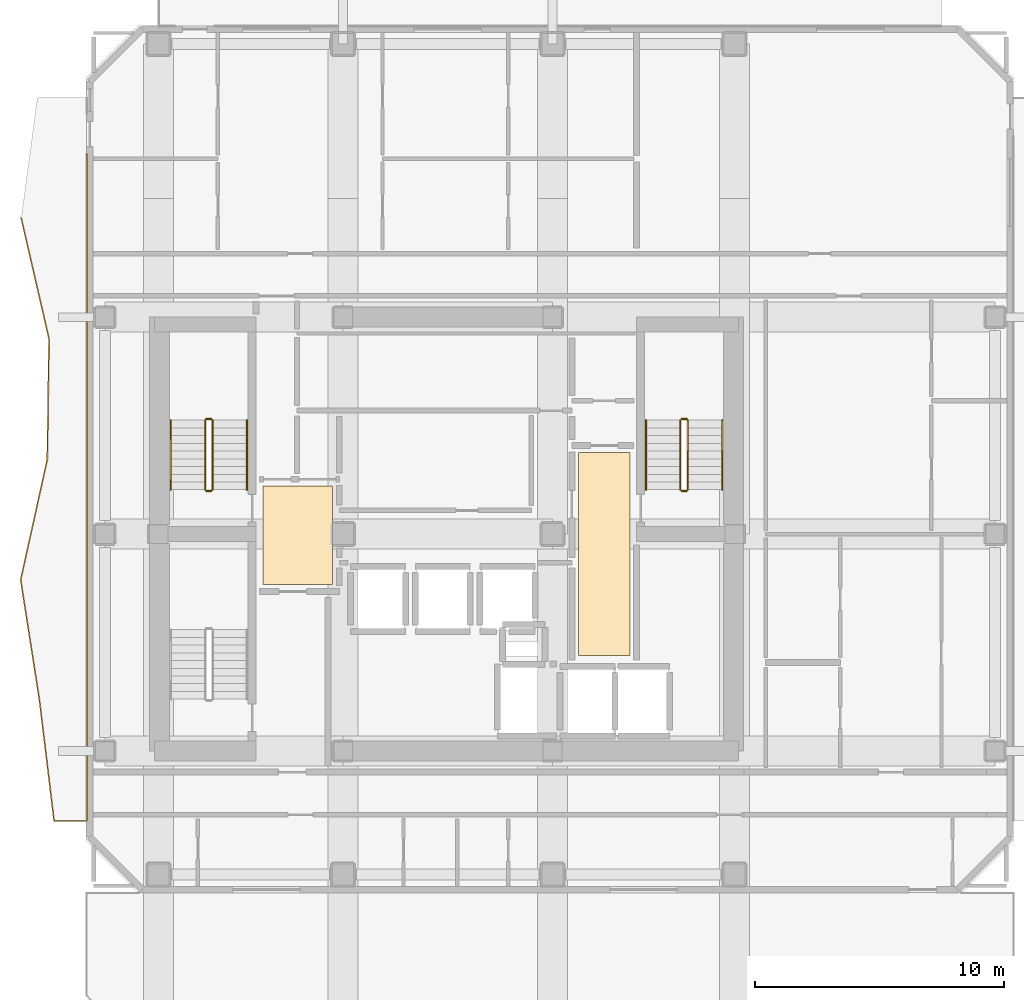
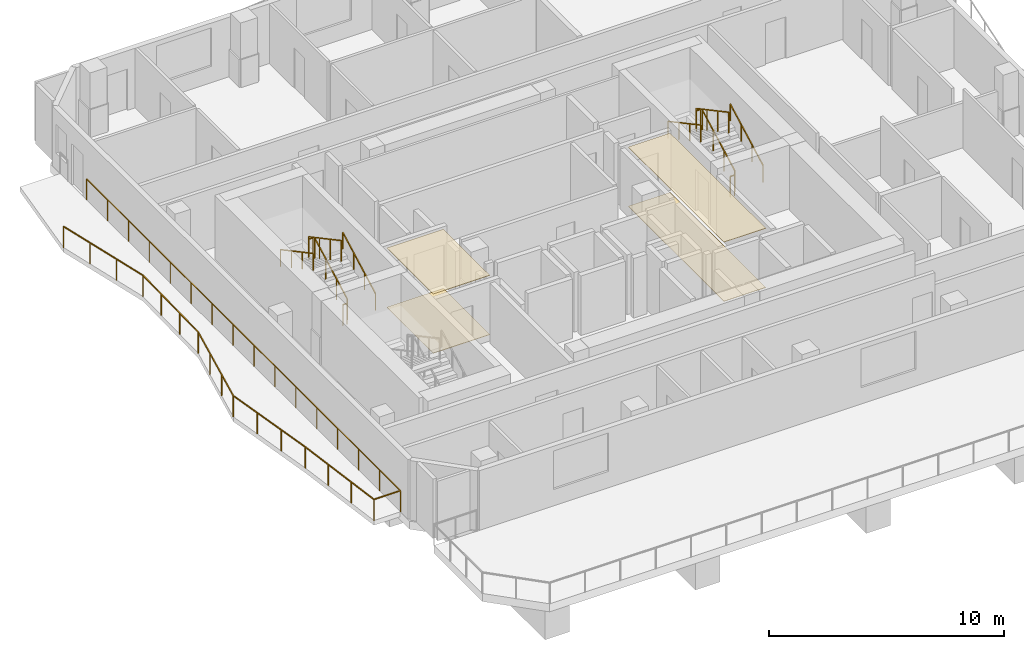
# One storey, part 8 of 9: 13 railings, 4 coverings.
"""IFC4 building model written with IfcOpenShell, lengths in metres."""

from ifc_helpers import new_model, si_unit, direction, frame, origin, origin_2d, place, context, subcontext, project, spatial, polyline, rectangle, outline, extrude, material, layer, layer_set, type_object, element, save


model = new_model("IFC4")

# Units and contexts
model_context = context("Model", 3, precision=1e-05, world=origin(), true_north=direction((0.0, 1.0)))
body_context = subcontext(model_context, "Body", "Model", "MODEL_VIEW")
ifc_project = project(units=[si_unit("LENGTHUNIT", "METRE"), si_unit("AREAUNIT", "SQUARE_METRE"), si_unit("VOLUMEUNIT", "CUBIC_METRE"), si_unit("PLANEANGLEUNIT", "RADIAN"), si_unit("MASSUNIT", "GRAM", prefix="KILO")], contexts=[model_context])

# Site, building, storey
site_placement = place(None, origin())
site = spatial("IfcSite", under=ifc_project, at=site_placement, CompositionType="ELEMENT")
building_placement = place(site_placement, origin())
building = spatial("IfcBuilding", under=site, at=building_placement, Name="Solanera Arch Residences", CompositionType="ELEMENT")
storey_placement = place(building_placement, frame((0.0, 0.0, 231.280029296875)))
storey = spatial("IfcBuildingStorey", under=building, at=storey_placement, Name="L67", CompositionType="ELEMENT", Elevation=231.280029296875)

# Railing
ifc_material_1 = material(Name="Steel S355 (ASTM A992 / A572 Grade 50)", Category="steel")
railing_type_1 = type_object("IfcRailingType", Name="Balustrade Railing BL-1100", PredefinedType="BALUSTRADE", material=ifc_material_1)
railing_1_placement = place(storey_placement, frame((7.89404296875, 43.366943359375, 0.0)))
element("IfcRailing", 1, at=railing_1_placement, inside=storey, type_object=railing_type_1, Name="L67 W Balcony Balustrade 1", PredefinedType="BALUSTRADE", context=body_context, shape_type="SweptSolid", body=[
    extrude(rectangle(XDim=0.048095703125, YDim=0.048095703125, at=origin_2d()), frame((0.0, 0.0, 1.09619140625), z_axis=(0.224381408778, -0.974501402459, 0.0), x_axis=(0.974501402459, 0.224381408778, 0.0)), (0.0, 0.0, 1.0), 4.96044921875),
    extrude(rectangle(XDim=0.048095703125, YDim=0.048095703125, at=origin_2d()), frame((1.113037109375, -4.833984375, 1.09619140625), z_axis=(-0.014092356774, -0.99990069781, 0.0), x_axis=(0.99990069781, -0.014092356774, 0.0)), (0.0, 0.0, 1.0), 4.83349609375),
    extrude(rectangle(XDim=0.048095703125, YDim=0.048095703125, at=origin_2d()), frame((1.044921875, -9.6669921875, 1.09619140625), z_axis=(-0.215938073945, -0.976407060718, 0.0), x_axis=(0.976407060718, -0.215938073945, 0.0)), (0.0, 0.0, 1.0), 4.94970703125),
    extrude(rectangle(XDim=0.048095703125, YDim=0.048095703125, at=origin_2d()), frame((-0.02392578125, -14.5, 1.09619140625), z_axis=(0.154291635386, -0.988025349498, 0.0), x_axis=(0.988025349498, 0.154291635386, 0.0)), (0.0, 0.0, 1.0), 4.892578125),
    extrude(rectangle(XDim=0.048095703125, YDim=0.048095703125, at=origin_2d()), frame((0.73095703125, -19.333984375, 1.09619140625), z_axis=(0.119959927912, -0.99277873451, 0.0), x_axis=(0.99277873451, 0.119959927912, 0.0)), (0.0, 0.0, 1.0), 4.8681640625),
    extrude(rectangle(XDim=0.048095703125, YDim=0.048095703125, at=origin_2d()), frame((1.31494140625, -24.1669921875, 1.09619140625), z_axis=(1.0, 0.0, 0.0), x_axis=(0.0, 1.0, 0.0)), (0.0, 0.0, 1.0), 1.31103515625),
    extrude(rectangle(XDim=0.048095703125, YDim=0.048095703125, at=origin_2d()), frame((2.6259765625, -24.1669921875, 1.09619140625), z_axis=(0.0, 1.0, 0.0), x_axis=(-1.0, 0.0, 0.0)), (0.0, 0.0, 1.0), 26.739990234375),
    extrude(rectangle(XDim=0.0419921875, YDim=0.0419921875, at=origin_2d()), origin(), (0.0, 0.0, 1.0), 1.072021484375),
    extrude(rectangle(XDim=0.0419921875, YDim=0.0419921875, at=origin_2d()), frame((0.37109375, -1.611328125, 0.0)), (0.0, 0.0, 1.0), 1.072021484375),
    extrude(rectangle(XDim=0.0419921875, YDim=0.0419921875, at=origin_2d()), frame((0.741943359375, -3.22265625, 0.0)), (0.0, 0.0, 1.0), 1.072021484375),
    extrude(rectangle(XDim=0.0419921875, YDim=0.0419921875, at=origin_2d()), frame((1.113037109375, -4.833984375, 0.0)), (0.0, 0.0, 1.0), 1.072021484375),
    extrude(rectangle(XDim=0.0419921875, YDim=0.0419921875, at=origin_2d()), frame((1.09033203125, -6.445068359375, 0.0)), (0.0, 0.0, 1.0), 1.072021484375),
    extrude(rectangle(XDim=0.0419921875, YDim=0.0419921875, at=origin_2d()), frame((1.067626953125, -8.055908203125, 0.0)), (0.0, 0.0, 1.0), 1.072021484375),
    extrude(rectangle(XDim=0.0419921875, YDim=0.0419921875, at=origin_2d()), frame((1.044921875, -9.6669921875, 0.0)), (0.0, 0.0, 1.0), 1.072021484375),
    extrude(rectangle(XDim=0.0419921875, YDim=0.0419921875, at=origin_2d()), frame((0.688720703125, -11.278076171875, 0.0)), (0.0, 0.0, 1.0), 1.072021484375),
    extrude(rectangle(XDim=0.0419921875, YDim=0.0419921875, at=origin_2d()), frame((0.332275390625, -12.888916015625, 0.0)), (0.0, 0.0, 1.0), 1.072021484375),
    extrude(rectangle(XDim=0.0419921875, YDim=0.0419921875, at=origin_2d()), frame((-0.02392578125, -14.5, 0.0)), (0.0, 0.0, 1.0), 1.072021484375),
    extrude(rectangle(XDim=0.0419921875, YDim=0.0419921875, at=origin_2d()), frame((0.227783203125, -16.111328125, 0.0)), (0.0, 0.0, 1.0), 1.072021484375),
    extrude(rectangle(XDim=0.0419921875, YDim=0.0419921875, at=origin_2d()), frame((0.479248046875, -17.72265625, 0.0)), (0.0, 0.0, 1.0), 1.072021484375),
    extrude(rectangle(XDim=0.0419921875, YDim=0.0419921875, at=origin_2d()), frame((0.73095703125, -19.333984375, 0.0)), (0.0, 0.0, 1.0), 1.072021484375),
    extrude(rectangle(XDim=0.0419921875, YDim=0.0419921875, at=origin_2d()), frame((0.925537109375, -20.945068359375, 0.0)), (0.0, 0.0, 1.0), 1.072021484375),
    extrude(rectangle(XDim=0.0419921875, YDim=0.0419921875, at=origin_2d()), frame((1.120361328125, -22.555908203125, 0.0)), (0.0, 0.0, 1.0), 1.072021484375),
    extrude(rectangle(XDim=0.0419921875, YDim=0.0419921875, at=origin_2d()), frame((1.31494140625, -24.1669921875, 0.0)), (0.0, 0.0, 1.0), 1.072021484375),
    extrude(rectangle(XDim=0.0419921875, YDim=0.0419921875, at=origin_2d()), frame((2.6259765625, -24.1669921875, 0.0)), (0.0, 0.0, 1.0), 1.072021484375),
    extrude(rectangle(XDim=0.0419921875, YDim=0.0419921875, at=origin_2d()), frame((2.6259765625, -22.38427734375, 0.0)), (0.0, 0.0, 1.0), 1.072021484375),
    extrude(rectangle(XDim=0.0419921875, YDim=0.0419921875, at=origin_2d()), frame((2.6259765625, -20.6015625, 0.0)), (0.0, 0.0, 1.0), 1.072021484375),
    extrude(rectangle(XDim=0.0419921875, YDim=0.0419921875, at=origin_2d()), frame((2.6259765625, -18.819091796875, 0.0)), (0.0, 0.0, 1.0), 1.072021484375),
    extrude(rectangle(XDim=0.0419921875, YDim=0.0419921875, at=origin_2d()), frame((2.6259765625, -17.036376953125, 0.0)), (0.0, 0.0, 1.0), 1.072021484375),
    extrude(rectangle(XDim=0.0419921875, YDim=0.0419921875, at=origin_2d()), frame((2.6259765625, -15.253662109375, 0.0)), (0.0, 0.0, 1.0), 1.072021484375),
    extrude(rectangle(XDim=0.0419921875, YDim=0.0419921875, at=origin_2d()), frame((2.6259765625, -13.470947265625, 0.0)), (0.0, 0.0, 1.0), 1.072021484375),
    extrude(rectangle(XDim=0.0419921875, YDim=0.0419921875, at=origin_2d()), frame((2.6259765625, -11.688232421875, 0.0)), (0.0, 0.0, 1.0), 1.072021484375),
    extrude(rectangle(XDim=0.0419921875, YDim=0.0419921875, at=origin_2d()), frame((2.6259765625, -9.90576171875, 0.0)), (0.0, 0.0, 1.0), 1.072021484375),
    extrude(rectangle(XDim=0.0419921875, YDim=0.0419921875, at=origin_2d()), frame((2.6259765625, -8.123046875, 0.0)), (0.0, 0.0, 1.0), 1.072021484375),
    extrude(rectangle(XDim=0.0419921875, YDim=0.0419921875, at=origin_2d()), frame((2.6259765625, -6.34033203125, 0.0)), (0.0, 0.0, 1.0), 1.072021484375),
    extrude(rectangle(XDim=0.0419921875, YDim=0.0419921875, at=origin_2d()), frame((2.6259765625, -4.5576171875, 0.0)), (0.0, 0.0, 1.0), 1.072021484375),
    extrude(rectangle(XDim=0.0419921875, YDim=0.0419921875, at=origin_2d()), frame((2.6259765625, -2.77490234375, 0.0)), (0.0, 0.0, 1.0), 1.072021484375),
    extrude(rectangle(XDim=0.0419921875, YDim=0.0419921875, at=origin_2d()), frame((2.6259765625, -0.992431640625, 0.0)), (0.0, 0.0, 1.0), 1.072021484375),
    extrude(rectangle(XDim=0.0419921875, YDim=0.0419921875, at=origin_2d()), frame((2.6259765625, 0.790283203125, 0.0)), (0.0, 0.0, 1.0), 1.072021484375),
    extrude(rectangle(XDim=0.0419921875, YDim=0.0419921875, at=origin_2d()), frame((2.6259765625, 2.572998046875, 0.0)), (0.0, 0.0, 1.0), 1.072021484375),
])

# Coverings
ifc_material_2 = material(Name="Porcelain Acoustic Floor Tile", Category="ceramic")
ifc_layer_1 = layer(ifc_material_2, 0.02001953125)
ifc_layer_set_1 = layer_set([ifc_layer_1], Name="Porcelain Acoustic Floor Tile")
covering_type_1 = type_object("IfcCoveringType", Name="Porcelain Acoustic Floor Finish FLR-20", PredefinedType="FLOORING", material=ifc_layer_set_1)
covering_1_placement = place(storey_placement, origin())
element("IfcCovering", 2, at=covering_1_placement, inside=storey, type_object=covering_type_1, Name="L67-FFL-W Porcelain Floor Finish", PredefinedType="FLOORING", context=body_context, shape_type="SweptSolid", body=[
    extrude(outline(polyline([(20.375, 28.675048828125), (17.594970703125, 28.675048828125), (17.594970703125, 32.625), (20.375, 32.625), (20.375, 28.675048828125)])), origin(), (0.0, 0.0, 1.0), 0.02001953125),
])
covering_2_placement = place(storey_placement, origin())
element("IfcCovering", 3, at=covering_2_placement, inside=storey, type_object=covering_type_1, Name="L67-FFL-E Porcelain Floor Finish", PredefinedType="FLOORING", context=body_context, shape_type="SweptSolid", body=[
    extrude(outline(polyline([(32.304931640625, 25.824951171875), (30.25, 25.824951171875), (30.25, 33.97509765625), (32.304931640625, 33.97509765625), (32.304931640625, 25.824951171875)])), origin(), (0.0, 0.0, 1.0), 0.02001953125),
])

# Railings
ifc_material_3 = material(Name="Steel S355 (ASTM A992 / A572 Grade 50)", Category="steel")
railing_type_2 = type_object("IfcRailingType", Name="Stair Guardrail GR-1100", PredefinedType="GUARDRAIL", material=ifc_material_3)
railing_2_placement = place(storey_placement, frame((15.570068359375, 32.47998046875, 0.15087890625)))
element("IfcRailing", 4, at=railing_2_placement, inside=storey, type_object=railing_type_2, Name="L67 ST-T1 stair guard 1", PredefinedType="GUARDRAIL", context=body_context, shape_type="SweptSolid", body=[
    extrude(rectangle(XDim=0.048095703125, YDim=0.048095703125, at=origin_2d()), frame((0.0, 0.0, 1.076171875), z_axis=(0.0, 0.881548766853, 0.472092969298), x_axis=(-1.0, 0.0, 0.0)), (0.0, 0.0, 1.0), 3.1650390625),
    extrude(rectangle(XDim=0.0419921875, YDim=0.0419921875, at=origin_2d()), origin(), (0.0, 0.0, 1.0), 1.052001953125),
    extrude(rectangle(XDim=0.0419921875, YDim=0.0419921875, at=origin_2d()), frame((0.0, 0.929931640625, 0.498046875)), (0.0, 0.0, 1.0), 1.052001953125),
    extrude(rectangle(XDim=0.0419921875, YDim=0.0419921875, at=origin_2d()), frame((0.0, 1.860107421875, 0.99609375)), (0.0, 0.0, 1.0), 1.052001953125),
    extrude(rectangle(XDim=0.0419921875, YDim=0.0419921875, at=origin_2d()), frame((0.0, 2.7900390625, 1.494140625)), (0.0, 0.0, 1.0), 1.052001953125),
])
railing_3_placement = place(storey_placement, frame((15.52001953125, 35.320068359375, 1.64501953125)))
element("IfcRailing", 5, at=railing_3_placement, inside=storey, type_object=railing_type_2, Name="L67 ST-T1 stair guard 2", PredefinedType="GUARDRAIL", context=body_context, shape_type="SweptSolid", body=[
    extrude(rectangle(XDim=0.048095703125, YDim=0.048095703125, at=origin_2d()), frame((0.0, 0.0, 1.076171875), z_axis=(-1.0, 0.0, 0.0), x_axis=(0.0, -1.0, 0.0)), (0.0, 0.0, 1.0), 0.199951171875),
    extrude(rectangle(XDim=0.0419921875, YDim=0.0419921875, at=origin_2d()), origin(), (0.0, 0.0, 1.0), 1.052001953125),
    extrude(rectangle(XDim=0.0419921875, YDim=0.0419921875, at=origin_2d()), frame((-0.199951171875, 0.0, 0.0)), (0.0, 0.0, 1.0), 1.052001953125),
])
railing_4_placement = place(storey_placement, frame((15.27001953125, 35.27001953125, 1.81103515625)))
element("IfcRailing", 6, at=railing_4_placement, inside=storey, type_object=railing_type_2, Name="L67 ST-T1 stair guard 3", PredefinedType="GUARDRAIL", context=body_context, shape_type="SweptSolid", body=[
    extrude(rectangle(XDim=0.048095703125, YDim=0.048095703125, at=origin_2d()), frame((0.0, 0.0, 1.076171875), z_axis=(0.0, -0.881580869306, 0.472033018838), x_axis=(1.0, 0.0, 0.0)), (0.0, 0.0, 1.0), 3.164794921875),
    extrude(rectangle(XDim=0.0419921875, YDim=0.0419921875, at=origin_2d()), origin(), (0.0, 0.0, 1.0), 1.052001953125),
    extrude(rectangle(XDim=0.0419921875, YDim=0.0419921875, at=origin_2d()), frame((0.0, -0.929931640625, 0.498046875)), (0.0, 0.0, 1.0), 1.052001953125),
    extrude(rectangle(XDim=0.0419921875, YDim=0.0419921875, at=origin_2d()), frame((0.0, -1.860107421875, 0.995849609375)), (0.0, 0.0, 1.0), 1.052001953125),
    extrude(rectangle(XDim=0.0419921875, YDim=0.0419921875, at=origin_2d()), frame((0.0, -2.7900390625, 1.493896484375)), (0.0, 0.0, 1.0), 1.052001953125),
])
railing_5_placement = place(storey_placement, frame((15.52001953125, 32.429931640625, -0.01513671875)))
element("IfcRailing", 7, at=railing_5_placement, inside=storey, type_object=railing_type_2, Name="L67 ST-T1 stair guard 4", PredefinedType="GUARDRAIL", context=body_context, shape_type="SweptSolid", body=[
    extrude(rectangle(XDim=0.048095703125, YDim=0.048095703125, at=origin_2d()), frame((0.0, 0.0, 1.076171875), z_axis=(-1.0, 0.0, 0.0), x_axis=(0.0, -1.0, 0.0)), (0.0, 0.0, 1.0), 0.199951171875),
    extrude(rectangle(XDim=0.0419921875, YDim=0.0419921875, at=origin_2d()), origin(), (0.0, 0.0, 1.0), 1.052001953125),
    extrude(rectangle(XDim=0.0419921875, YDim=0.0419921875, at=origin_2d()), frame((-0.199951171875, 0.0, 0.0)), (0.0, 0.0, 1.0), 1.052001953125),
])
railing_6_placement = place(storey_placement, frame((34.6298828125, 32.47998046875, 0.15087890625)))
element("IfcRailing", 8, at=railing_6_placement, inside=storey, type_object=railing_type_2, Name="L67 ST-T2 stair guard 1", PredefinedType="GUARDRAIL", context=body_context, shape_type="SweptSolid", body=[
    extrude(rectangle(XDim=0.048095703125, YDim=0.048095703125, at=origin_2d()), frame((0.0, 0.0, 1.076171875), z_axis=(0.0, 0.881548766853, 0.472092969298), x_axis=(-1.0, 0.0, 0.0)), (0.0, 0.0, 1.0), 3.1650390625),
    extrude(rectangle(XDim=0.0419921875, YDim=0.0419921875, at=origin_2d()), origin(), (0.0, 0.0, 1.0), 1.052001953125),
    extrude(rectangle(XDim=0.0419921875, YDim=0.0419921875, at=origin_2d()), frame((0.0, 0.929931640625, 0.498046875)), (0.0, 0.0, 1.0), 1.052001953125),
    extrude(rectangle(XDim=0.0419921875, YDim=0.0419921875, at=origin_2d()), frame((0.0, 1.860107421875, 0.99609375)), (0.0, 0.0, 1.0), 1.052001953125),
    extrude(rectangle(XDim=0.0419921875, YDim=0.0419921875, at=origin_2d()), frame((0.0, 2.7900390625, 1.494140625)), (0.0, 0.0, 1.0), 1.052001953125),
])
railing_7_placement = place(storey_placement, frame((34.580078125, 35.320068359375, 1.64501953125)))
element("IfcRailing", 9, at=railing_7_placement, inside=storey, type_object=railing_type_2, Name="L67 ST-T2 stair guard 2", PredefinedType="GUARDRAIL", context=body_context, shape_type="SweptSolid", body=[
    extrude(rectangle(XDim=0.048095703125, YDim=0.048095703125, at=origin_2d()), frame((0.0, 0.0, 1.076171875), z_axis=(-1.0, 0.0, 0.0), x_axis=(0.0, -1.0, 0.0)), (0.0, 0.0, 1.0), 0.2001953125),
    extrude(rectangle(XDim=0.0419921875, YDim=0.0419921875, at=origin_2d()), origin(), (0.0, 0.0, 1.0), 1.052001953125),
    extrude(rectangle(XDim=0.0419921875, YDim=0.0419921875, at=origin_2d()), frame((-0.2001953125, 0.0, 0.0)), (0.0, 0.0, 1.0), 1.052001953125),
])
railing_8_placement = place(storey_placement, frame((34.330078125, 35.27001953125, 1.81103515625)))
element("IfcRailing", 10, at=railing_8_placement, inside=storey, type_object=railing_type_2, Name="L67 ST-T2 stair guard 3", PredefinedType="GUARDRAIL", context=body_context, shape_type="SweptSolid", body=[
    extrude(rectangle(XDim=0.048095703125, YDim=0.048095703125, at=origin_2d()), frame((0.0, 0.0, 1.076171875), z_axis=(0.0, -0.881580869306, 0.472033018838), x_axis=(1.0, 0.0, 0.0)), (0.0, 0.0, 1.0), 3.164794921875),
    extrude(rectangle(XDim=0.0419921875, YDim=0.0419921875, at=origin_2d()), origin(), (0.0, 0.0, 1.0), 1.052001953125),
    extrude(rectangle(XDim=0.0419921875, YDim=0.0419921875, at=origin_2d()), frame((0.0, -0.929931640625, 0.498046875)), (0.0, 0.0, 1.0), 1.052001953125),
    extrude(rectangle(XDim=0.0419921875, YDim=0.0419921875, at=origin_2d()), frame((0.0, -1.860107421875, 0.995849609375)), (0.0, 0.0, 1.0), 1.052001953125),
    extrude(rectangle(XDim=0.0419921875, YDim=0.0419921875, at=origin_2d()), frame((0.0, -2.7900390625, 1.493896484375)), (0.0, 0.0, 1.0), 1.052001953125),
])
railing_9_placement = place(storey_placement, frame((34.580078125, 32.429931640625, -0.01513671875)))
element("IfcRailing", 11, at=railing_9_placement, inside=storey, type_object=railing_type_2, Name="L67 ST-T2 stair guard 4", PredefinedType="GUARDRAIL", context=body_context, shape_type="SweptSolid", body=[
    extrude(rectangle(XDim=0.048095703125, YDim=0.048095703125, at=origin_2d()), frame((0.0, 0.0, 1.076171875), z_axis=(-1.0, 0.0, 0.0), x_axis=(0.0, -1.0, 0.0)), (0.0, 0.0, 1.0), 0.2001953125),
    extrude(rectangle(XDim=0.0419921875, YDim=0.0419921875, at=origin_2d()), origin(), (0.0, 0.0, 1.0), 1.052001953125),
    extrude(rectangle(XDim=0.0419921875, YDim=0.0419921875, at=origin_2d()), frame((-0.2001953125, 0.0, 0.0)), (0.0, 0.0, 1.0), 1.052001953125),
])
ifc_material_4 = material(Name="Steel S355 (ASTM A992 / A572 Grade 50)", Category="steel")
railing_type_3 = type_object("IfcRailingType", Name="Stair Wall Handrail HR-920", PredefinedType="HANDRAIL", material=ifc_material_4)
railing_10_placement = place(storey_placement, frame((16.949951171875, 32.47998046875, 0.166015625)))
element("IfcRailing", 12, at=railing_10_placement, inside=storey, type_object=railing_type_3, Name="L67 ST-T1 stair handrail 1", PredefinedType="HANDRAIL", context=body_context, shape_type="SweptSolid", body=[
    extrude(rectangle(XDim=0.048095703125, YDim=0.048095703125, at=origin_2d()), frame((0.0, 0.0, 0.8759765625), z_axis=(0.0, 0.881580869306, 0.472033018838), x_axis=(-1.0, 0.0, 0.0)), (0.0, 0.0, 1.0), 3.164794921875),
    extrude(rectangle(XDim=0.0419921875, YDim=0.0419921875, at=origin_2d()), origin(), (0.0, 0.0, 1.0), 0.851806640625),
    extrude(rectangle(XDim=0.0419921875, YDim=0.0419921875, at=origin_2d()), frame((0.0, 0.929931640625, 0.498046875)), (0.0, 0.0, 1.0), 0.851806640625),
    extrude(rectangle(XDim=0.0419921875, YDim=0.0419921875, at=origin_2d()), frame((0.0, 1.860107421875, 0.995849609375)), (0.0, 0.0, 1.0), 0.851806640625),
    extrude(rectangle(XDim=0.0419921875, YDim=0.0419921875, at=origin_2d()), frame((0.0, 2.7900390625, 1.493896484375)), (0.0, 0.0, 1.0), 0.851806640625),
])
railing_11_placement = place(storey_placement, frame((13.889892578125, 35.27001953125, 1.825927734375)))
element("IfcRailing", 13, at=railing_11_placement, inside=storey, type_object=railing_type_3, Name="L67 ST-T1 stair handrail 2", PredefinedType="HANDRAIL", context=body_context, shape_type="SweptSolid", body=[
    extrude(rectangle(XDim=0.048095703125, YDim=0.048095703125, at=origin_2d()), frame((0.0, 0.0, 0.8759765625), z_axis=(0.0, -0.881548766853, 0.472092969298), x_axis=(1.0, 0.0, 0.0)), (0.0, 0.0, 1.0), 3.1650390625),
    extrude(rectangle(XDim=0.0419921875, YDim=0.0419921875, at=origin_2d()), origin(), (0.0, 0.0, 1.0), 0.851806640625),
    extrude(rectangle(XDim=0.0419921875, YDim=0.0419921875, at=origin_2d()), frame((0.0, -0.929931640625, 0.498046875)), (0.0, 0.0, 1.0), 0.851806640625),
    extrude(rectangle(XDim=0.0419921875, YDim=0.0419921875, at=origin_2d()), frame((0.0, -1.860107421875, 0.99609375)), (0.0, 0.0, 1.0), 0.851806640625),
    extrude(rectangle(XDim=0.0419921875, YDim=0.0419921875, at=origin_2d()), frame((0.0, -2.7900390625, 1.494140625)), (0.0, 0.0, 1.0), 0.851806640625),
])
railing_12_placement = place(storey_placement, frame((36.010009765625, 32.47998046875, 0.166015625)))
element("IfcRailing", 14, at=railing_12_placement, inside=storey, type_object=railing_type_3, Name="L67 ST-T2 stair handrail 1", PredefinedType="HANDRAIL", context=body_context, shape_type="SweptSolid", body=[
    extrude(rectangle(XDim=0.048095703125, YDim=0.048095703125, at=origin_2d()), frame((0.0, 0.0, 0.8759765625), z_axis=(0.0, 0.881580869306, 0.472033018838), x_axis=(-1.0, 0.0, 0.0)), (0.0, 0.0, 1.0), 3.164794921875),
    extrude(rectangle(XDim=0.0419921875, YDim=0.0419921875, at=origin_2d()), origin(), (0.0, 0.0, 1.0), 0.851806640625),
    extrude(rectangle(XDim=0.0419921875, YDim=0.0419921875, at=origin_2d()), frame((0.0, 0.929931640625, 0.498046875)), (0.0, 0.0, 1.0), 0.851806640625),
    extrude(rectangle(XDim=0.0419921875, YDim=0.0419921875, at=origin_2d()), frame((0.0, 1.860107421875, 0.995849609375)), (0.0, 0.0, 1.0), 0.851806640625),
    extrude(rectangle(XDim=0.0419921875, YDim=0.0419921875, at=origin_2d()), frame((0.0, 2.7900390625, 1.493896484375)), (0.0, 0.0, 1.0), 0.851806640625),
])
railing_13_placement = place(storey_placement, frame((32.949951171875, 35.27001953125, 1.825927734375)))
element("IfcRailing", 15, at=railing_13_placement, inside=storey, type_object=railing_type_3, Name="L67 ST-T2 stair handrail 2", PredefinedType="HANDRAIL", context=body_context, shape_type="SweptSolid", body=[
    extrude(rectangle(XDim=0.048095703125, YDim=0.048095703125, at=origin_2d()), frame((0.0, 0.0, 0.8759765625), z_axis=(0.0, -0.881548766853, 0.472092969298), x_axis=(1.0, 0.0, 0.0)), (0.0, 0.0, 1.0), 3.1650390625),
    extrude(rectangle(XDim=0.0419921875, YDim=0.0419921875, at=origin_2d()), origin(), (0.0, 0.0, 1.0), 0.851806640625),
    extrude(rectangle(XDim=0.0419921875, YDim=0.0419921875, at=origin_2d()), frame((0.0, -0.929931640625, 0.498046875)), (0.0, 0.0, 1.0), 0.851806640625),
    extrude(rectangle(XDim=0.0419921875, YDim=0.0419921875, at=origin_2d()), frame((0.0, -1.860107421875, 0.99609375)), (0.0, 0.0, 1.0), 0.851806640625),
    extrude(rectangle(XDim=0.0419921875, YDim=0.0419921875, at=origin_2d()), frame((0.0, -2.7900390625, 1.494140625)), (0.0, 0.0, 1.0), 0.851806640625),
])

# Coverings
ifc_material_5 = material(Name="Mineral Fibre Acoustic Ceiling Board", Category="gypsum")
ifc_layer_2 = layer(ifc_material_5, 0.02490234375)
ifc_layer_set_2 = layer_set([ifc_layer_2], Name="Mineral Fibre Acoustic Ceiling Board")
covering_type_2 = type_object("IfcCoveringType", Name="Suspended Acoustic Ceiling Board CLG-25", PredefinedType="CEILING", material=ifc_layer_set_2)
covering_3_placement = place(storey_placement, frame((0.0, 0.0, 3.074951171875)))
element("IfcCovering", 16, at=covering_3_placement, inside=storey, type_object=covering_type_2, Name="L67-FFL-W Acoustic Ceiling", PredefinedType="CEILING", context=body_context, shape_type="SweptSolid", body=[
    extrude(outline(polyline([(20.375, 28.675048828125), (17.594970703125, 28.675048828125), (17.594970703125, 32.625), (20.375, 32.625), (20.375, 28.675048828125)])), origin(), (0.0, 0.0, 1.0), 0.02490234375),
])
covering_4_placement = place(storey_placement, frame((0.0, 0.0, 3.074951171875)))
element("IfcCovering", 17, at=covering_4_placement, inside=storey, type_object=covering_type_2, Name="L67-FFL-E Acoustic Ceiling", PredefinedType="CEILING", context=body_context, shape_type="SweptSolid", body=[
    extrude(outline(polyline([(32.304931640625, 25.824951171875), (30.25, 25.824951171875), (30.25, 33.97509765625), (32.304931640625, 33.97509765625), (32.304931640625, 25.824951171875)])), origin(), (0.0, 0.0, 1.0), 0.02490234375),
])

save(model, "model.ifc")
